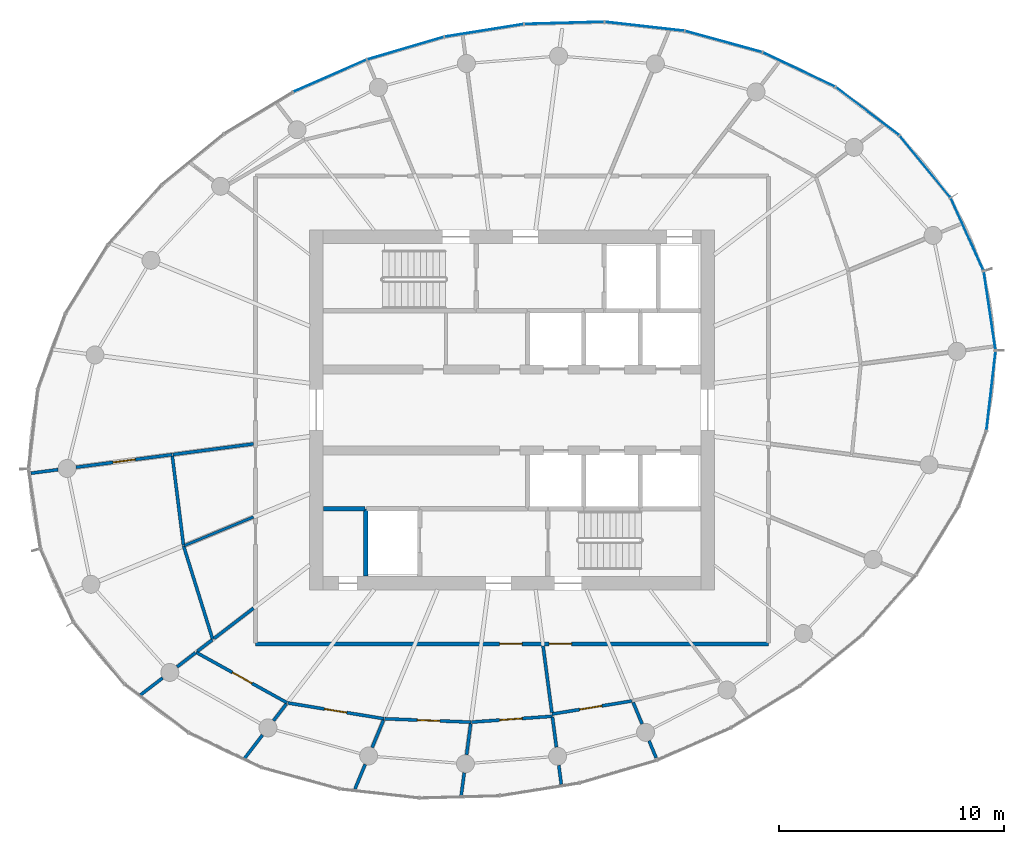
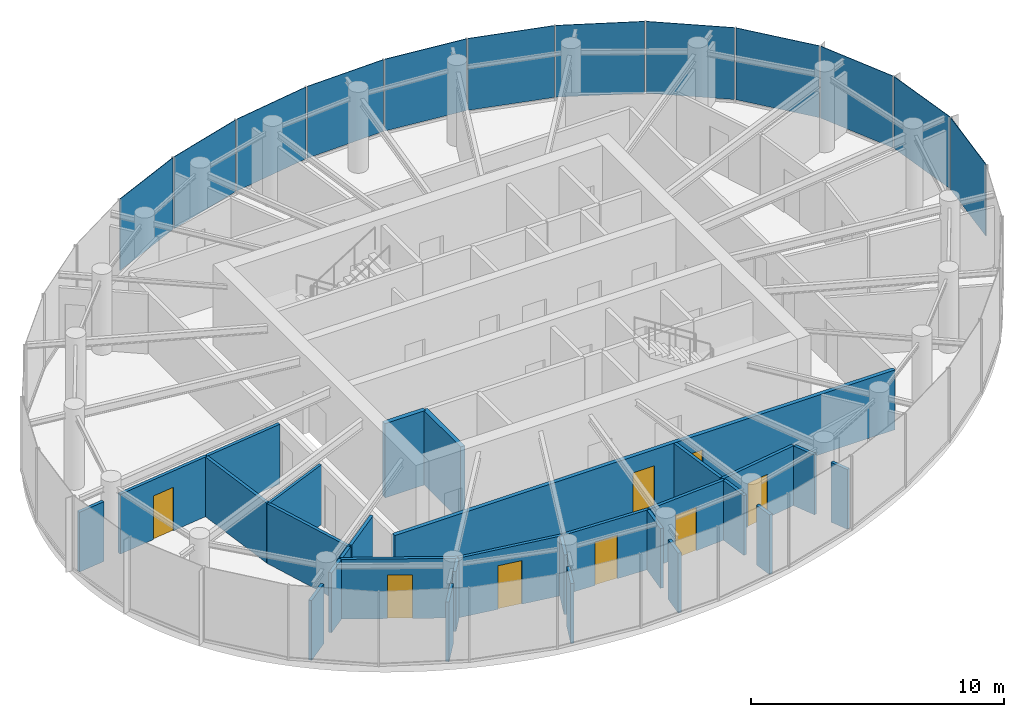
# One storey, part 8 of 13: 29 walls, 12 plates, 8 doors, 8 openings, 3 elements without a shape of their own.
"""IFC4 building model written with IfcOpenShell, lengths in metres."""

from ifc_helpers import new_model, si_unit, direction, frame, frame_2d, origin, origin_2d, place, context, subcontext, project, spatial, rectangle, extrude, source, transform, mapped, material, layer, layer_set, type_object, element, fill, aggregate, save


model = new_model("IFC4")

# Units and contexts
model_context = context("Model", 3, precision=1e-05, world=origin(), true_north=direction((0.0, 1.0)))
body_context = subcontext(model_context, "Body", "Model", "MODEL_VIEW")
ifc_project = project(units=[si_unit("LENGTHUNIT", "METRE"), si_unit("AREAUNIT", "SQUARE_METRE"), si_unit("VOLUMEUNIT", "CUBIC_METRE"), si_unit("PLANEANGLEUNIT", "RADIAN"), si_unit("MASSUNIT", "GRAM", prefix="KILO")], contexts=[model_context])

# Site, building, storey
site_placement = place(None, origin())
site = spatial("IfcSite", under=ifc_project, at=site_placement, CompositionType="ELEMENT")
building_placement = place(site_placement, origin())
building = spatial("IfcBuilding", under=site, at=building_placement, Name="Spindrift Exchange Tower", CompositionType="ELEMENT")
storey_placement = place(building_placement, frame((0.0, 0.0, 254.0)))
storey = spatial("IfcBuildingStorey", under=building, at=storey_placement, Name="L62", CompositionType="ELEMENT", Elevation=254.0)

# Curtain wall, plates
ifc_material_1 = material(Name="Fritted laminated glass with bronze frame", Category="glass")
ifc_layer_1 = layer(ifc_material_1, 0.159912109375)
ifc_layer_set_1 = layer_set([ifc_layer_1], Name="ZONE 5 BRONZE FRITTED WALL")
curtain_wall_type = type_object("IfcCurtainWallType", Name="ZONE 5 BRONZE FRITTED WALL", PredefinedType="NOTDEFINED", material=ifc_layer_set_1)
curtain_wall_1_placement = place(storey_placement, origin())
curtain_wall_1 = element("IfcCurtainWall", 1, at=curtain_wall_1_placement, inside=storey, type_object=curtain_wall_type, Name="L62 Zone 5 Bronze Fritted Wall run 2", PredefinedType="NOTDEFINED")
ifc_material_2 = material(Name="Bronze fritted laminated glass, open frit", Category="glass")
ifc_layer_2 = layer(ifc_material_2, 0.028076171875)
ifc_layer_set_2 = layer_set([ifc_layer_2], Name="ZONE 5 BRONZE FRITTED WALL PANEL OPEN FRIT 360")
plate_type_1 = type_object("IfcPlateType", Name="ZONE 5 BRONZE FRITTED WALL PANEL OPEN FRIT 360", PredefinedType="CURTAIN_PANEL", material=ifc_layer_set_2)
shared_shape_1 = source(origin(), body_context, "Body", "SweptSolid", [
    extrude(rectangle(XDim=3.5263671875, YDim=0.028076171875, at=origin_2d()), origin(), (0.0, 0.0, 1.0), 3.4599609375),
])
plate_1_placement = place(storey_placement, frame((47.27001953125, 64.076904296875, 0.1201171875), z_axis=(0.0, 0.0, 1.0), x_axis=(-0.959343536008, -0.28224099617, 0.0)))
plate_1 = element("IfcPlate", 2, at=plate_1_placement, type_object=plate_type_1, Name="L62 panel CW-5.9", PredefinedType="CURTAIN_PANEL", context=body_context, shape_type="MappedRepresentation", body=[
    mapped(shared_shape_1, transform((0.0, 0.0, 0.0), scale=1.0)),
])
ifc_layer_3 = layer(ifc_material_2, 0.028076171875)
ifc_layer_set_3 = layer_set([ifc_layer_3], Name="ZONE 5 BRONZE FRITTED WALL PANEL OPEN FRIT 600")
plate_type_2 = type_object("IfcPlateType", Name="ZONE 5 BRONZE FRITTED WALL PANEL OPEN FRIT 600", PredefinedType="CURTAIN_PANEL", material=ifc_layer_set_3)
shared_shape_2 = source(origin(), body_context, "Body", "SweptSolid", [
    extrude(rectangle(XDim=3.5263671875, YDim=0.028076171875, at=origin_2d()), origin(), (0.0, 0.0, 1.0), 3.4599609375),
])
plate_2_placement = place(storey_placement, frame((43.90771484375, 62.8505859375, 0.1201171875), z_axis=(0.0, 0.0, 1.0), x_axis=(-0.915796534921, -0.40164251098, 0.0)))
plate_2 = element("IfcPlate", 3, at=plate_2_placement, type_object=plate_type_2, Name="L62 panel CW-5.10", PredefinedType="CURTAIN_PANEL", context=body_context, shape_type="MappedRepresentation", body=[
    mapped(shared_shape_2, transform((0.0, 0.0, 0.0), scale=1.0)),
])
ifc_layer_4 = layer(ifc_material_2, 0.028076171875)
ifc_layer_set_4 = layer_set([ifc_layer_4], Name="ZONE 5 BRONZE FRITTED WALL PANEL OPEN FRIT 480")
plate_type_3 = type_object("IfcPlateType", Name="ZONE 5 BRONZE FRITTED WALL PANEL OPEN FRIT 480", PredefinedType="CURTAIN_PANEL", material=ifc_layer_set_4)
shared_shape_3 = source(origin(), body_context, "Body", "SweptSolid", [
    extrude(rectangle(XDim=3.526123046875, YDim=0.028076171875, at=origin_2d()), origin(), (0.0, 0.0, 1.0), 3.4599609375),
])
plate_3_placement = place(storey_placement, frame((50.7607421875, 64.866943359375, 0.1201171875), z_axis=(0.0, 0.0, 1.0), x_axis=(-0.987390885245, -0.158301104657, 0.0)))
plate_3 = element("IfcPlate", 4, at=plate_3_placement, type_object=plate_type_3, Name="L62 panel CW-5.8", PredefinedType="CURTAIN_PANEL", context=body_context, shape_type="MappedRepresentation", body=[
    mapped(shared_shape_3, transform((0.0, 0.0, 0.0), scale=1.0)),
])

curtain_wall_2_placement = place(storey_placement, origin())
curtain_wall_2 = element("IfcCurtainWall", 5, at=curtain_wall_2_placement, inside=storey, type_object=curtain_wall_type, Name="L62 Zone 5 Bronze Fritted Wall run 1", PredefinedType="NOTDEFINED")
shared_shape_4 = source(origin(), body_context, "Body", "SweptSolid", [
    extrude(rectangle(XDim=3.5234375, YDim=0.028076171875, at=origin_2d()), origin(), (0.0, 0.0, 1.0), 3.4599609375),
])
plate_4_placement = place(storey_placement, frame((64.753662109375, 63.126953125, 0.1201171875), z_axis=(0.0, 0.0, 1.0), x_axis=(-0.903088094144, 0.429455346008, 0.0)))
plate_4 = element("IfcPlate", 6, at=plate_4_placement, type_object=plate_type_3, Name="L62 panel CW-5.4", PredefinedType="CURTAIN_PANEL", context=body_context, shape_type="MappedRepresentation", body=[
    mapped(shared_shape_4, transform((0.0, 0.0, 0.0), scale=1.0)),
])
shared_shape_5 = source(origin(), body_context, "Body", "SweptSolid", [
    extrude(rectangle(XDim=3.521484375, YDim=0.028076171875, at=origin_2d()), origin(), (0.0, 0.0, 1.0), 3.4599609375),
])
plate_5_placement = place(storey_placement, frame((67.7998046875, 61.277099609375, 0.1201171875), z_axis=(0.0, 0.0, 1.0), x_axis=(-0.797540762125, 0.60326506011, 0.0)))
plate_5 = element("IfcPlate", 7, at=plate_5_placement, type_object=plate_type_1, Name="L62 panel CW-5.3", PredefinedType="CURTAIN_PANEL", context=body_context, shape_type="MappedRepresentation", body=[
    mapped(shared_shape_5, transform((0.0, 0.0, 0.0), scale=1.0)),
])
shared_shape_6 = source(origin(), body_context, "Body", "SweptSolid", [
    extrude(rectangle(XDim=3.519287109375, YDim=0.028076171875, at=origin_2d()), origin(), (0.0, 0.0, 1.0), 3.4599609375),
])
plate_6_placement = place(storey_placement, frame((70.36376953125, 58.81396484375, 0.1201171875), z_axis=(0.0, 0.0, 1.0), x_axis=(-0.634646891667, 0.772802253424, 0.0)))
plate_6 = element("IfcPlate", 8, at=plate_6_placement, type_object=plate_type_2, Name="L62 panel CW-5.2", PredefinedType="CURTAIN_PANEL", context=body_context, shape_type="MappedRepresentation", body=[
    mapped(shared_shape_6, transform((0.0, 0.0, 0.0), scale=1.0)),
])

curtain_wall_3_placement = place(storey_placement, origin())
curtain_wall_3 = element("IfcCurtainWall", 9, at=curtain_wall_3_placement, inside=storey, type_object=curtain_wall_type, Name="L62 Zone 5 Bronze Fritted Wall run 6", PredefinedType="NOTDEFINED")
shared_shape_7 = source(origin(), body_context, "Body", "SweptSolid", [
    extrude(rectangle(XDim=3.517578125, YDim=0.028076171875, at=origin_2d()), origin(), (0.0, 0.0, 1.0), 3.4599609375),
])
plate_7_placement = place(storey_placement, frame((73.2353515625, 52.400634765625, 0.1201171875), z_axis=(0.0, 0.0, 1.0), x_axis=(-0.147921610469, 0.988999088552, 0.0)))
plate_7 = element("IfcPlate", 10, at=plate_7_placement, type_object=plate_type_3, Name="L62 panel CW-5.34", PredefinedType="CURTAIN_PANEL", context=body_context, shape_type="MappedRepresentation", body=[
    mapped(shared_shape_7, transform((0.0, 0.0, 0.0), scale=1.0)),
])
shared_shape_8 = source(origin(), body_context, "Body", "SweptSolid", [
    extrude(rectangle(XDim=3.519287109375, YDim=0.028076171875, at=origin_2d()), origin(), (0.0, 0.0, 1.0), 3.4599609375),
])
plate_8_placement = place(storey_placement, frame((73.294189453125, 48.853759765625, 0.1201171875), z_axis=(0.0, 0.0, 1.0), x_axis=(0.114992630715, 0.99336634475, 0.0)))
plate_8 = element("IfcPlate", 11, at=plate_8_placement, type_object=plate_type_1, Name="L62 panel CW-5.33", PredefinedType="CURTAIN_PANEL", context=body_context, shape_type="MappedRepresentation", body=[
    mapped(shared_shape_8, transform((0.0, 0.0, 0.0), scale=1.0)),
])
aggregate(curtain_wall_3, [plate_8, plate_7])

# Plate
shared_shape_9 = source(origin(), body_context, "Body", "SweptSolid", [
    extrude(rectangle(XDim=3.525390625, YDim=0.028076171875, at=origin_2d()), origin(), (0.0, 0.0, 1.0), 3.4599609375),
])
plate_9_placement = place(storey_placement, frame((57.8974609375, 65.04736328125, 0.1201171875), z_axis=(0.0, 0.0, 1.0), x_axis=(-0.993628829001, 0.112702041592, 0.0)))
plate_9 = element("IfcPlate", 12, at=plate_9_placement, type_object=plate_type_3, Name="L62 panel CW-5.6", PredefinedType="CURTAIN_PANEL", context=body_context, shape_type="MappedRepresentation", body=[
    mapped(shared_shape_9, transform((0.0, 0.0, 0.0), scale=1.0)),
])

shared_shape_10 = source(origin(), body_context, "Body", "SweptSolid", [
    extrude(rectangle(XDim=3.526123046875, YDim=0.028076171875, at=origin_2d()), origin(), (0.0, 0.0, 1.0), 3.4599609375),
])
plate_10_placement = place(storey_placement, frame((54.32373046875, 65.2001953125, 0.1201171875), z_axis=(0.0, 0.0, 1.0), x_axis=(-0.999621146894, -0.027523856603, 0.0)))
plate_10 = element("IfcPlate", 13, at=plate_10_placement, type_object=plate_type_1, Name="L62 panel CW-5.7", PredefinedType="CURTAIN_PANEL", context=body_context, shape_type="MappedRepresentation", body=[
    mapped(shared_shape_10, transform((0.0, 0.0, 0.0), scale=1.0)),
])

aggregate(curtain_wall_1, [plate_10, plate_3, plate_1, plate_2])

shared_shape_11 = source(origin(), body_context, "Body", "SweptSolid", [
    extrude(rectangle(XDim=3.517578125, YDim=0.028076171875, at=origin_2d()), origin(), (0.0, 0.0, 1.0), 3.4599609375),
])
plate_11_placement = place(storey_placement, frame((72.235107421875, 55.80029296875, 0.1201171875), z_axis=(0.0, 0.0, 1.0), x_axis=(-0.411213694149, 0.911538972148, 0.0)))
plate_11 = element("IfcPlate", 14, at=plate_11_placement, type_object=plate_type_1, Name="L62 panel CW-5.1", PredefinedType="CURTAIN_PANEL", context=body_context, shape_type="MappedRepresentation", body=[
    mapped(shared_shape_11, transform((0.0, 0.0, 0.0), scale=1.0)),
])

shared_shape_12 = source(origin(), body_context, "Body", "SweptSolid", [
    extrude(rectangle(XDim=3.524658203125, YDim=0.028076171875, at=origin_2d()), origin(), (0.0, 0.0, 1.0), 3.4599609375),
])
plate_12_placement = place(storey_placement, frame((61.406982421875, 64.370849609375, 0.1201171875), z_axis=(0.0, 0.0, 1.0), x_axis=(-0.9643207721, 0.264736564334, 0.0)))
plate_12 = element("IfcPlate", 15, at=plate_12_placement, type_object=plate_type_3, Name="L62 panel CW-5.5", PredefinedType="CURTAIN_PANEL", context=body_context, shape_type="MappedRepresentation", body=[
    mapped(shared_shape_12, transform((0.0, 0.0, 0.0), scale=1.0)),
])

aggregate(curtain_wall_2, [plate_11, plate_6, plate_5, plate_4, plate_12, plate_9])

# Wall, openings, doors
ifc_material_3 = material(Name="Fire-rated plasterboard partition", Category="gypsum")
ifc_layer_5 = layer(ifc_material_3, 0.179931640625)
ifc_layer_set_5 = layer_set([ifc_layer_5], Name="W-CORR-180")
wall_type_1 = type_object("IfcWallType", Name="W-CORR-180", PredefinedType="PARTITIONING", material=ifc_layer_set_5)
wall_1_placement = place(storey_placement, frame((63.39990234375, 37.60009765625, 0.0), z_axis=(0.0, 0.0, 1.0), x_axis=(-1.0, 0.0, 0.0)))
wall_1 = element("IfcWall", 16, at=wall_1_placement, inside=storey, type_object=wall_type_1, Name="L62 Partition wall 28", PredefinedType="PARTITIONING", context=body_context, shape_type="SweptSolid", body=[
    extrude(rectangle(XDim=22.7998046875, YDim=0.179931640625, at=frame_2d((11.39990234375, 0.0))), origin(), (0.0, 0.0, 1.0), 2.8798828125),
])
opening_1_placement = place(wall_1_placement, frame((10.949951171875, 0.0, 0.0)))
opening_1 = element("IfcOpeningElement", 17, at=opening_1_placement, cuts=wall_1, Name="Opening L62-D21", PredefinedType="OPENING", context=body_context, shape_type="SweptSolid", body=[
    extrude(rectangle(XDim=1.0, YDim=2.10009765625, at=frame_2d((0.5, 1.050048828125))), frame((0.0, 0.099853515625, 0.0), z_axis=(0.0, -1.0, 0.0), x_axis=(1.0, 0.0, 0.0)), (0.0, 0.0, 1.0), 0.199951171875),
])
opening_2_placement = place(wall_1_placement, frame((8.75, 0.0, 0.0)))
opening_2 = element("IfcOpeningElement", 18, at=opening_2_placement, cuts=wall_1, Name="Opening L62-D27", PredefinedType="OPENING", context=body_context, shape_type="SweptSolid", body=[
    extrude(rectangle(XDim=1.0, YDim=2.10009765625, at=frame_2d((0.5, 1.050048828125))), frame((0.0, 0.099853515625, 0.0), z_axis=(0.0, -1.0, 0.0), x_axis=(1.0, 0.0, 0.0)), (0.0, 0.0, 1.0), 0.199951171875),
])
ifc_material_4 = material(Name="Timber-core fire door", Category="wood")
door_type = type_object("IfcDoorType", Name="DR-ROOM-1000", OperationType="NOTDEFINED", PredefinedType="DOOR", material=ifc_material_4)
shared_shape_13 = source(origin(), body_context, "Body", "SweptSolid", [
    extrude(rectangle(XDim=1.0, YDim=2.10009765625, at=frame_2d((0.5, 1.050048828125))), frame((0.0, 0.02490234375, 0.0), z_axis=(0.0, -1.0, 0.0), x_axis=(1.0, 0.0, 0.0)), (0.0, 0.0, 1.0), 0.050048828125),
])
door_1_placement = place(opening_1_placement, origin())
door_1 = element("IfcDoor", 19, at=door_1_placement, inside=storey, type_object=door_type, Name="L62 Door 21", OperationType="SINGLE_SWING_LEFT", OverallHeight=2.10009765625, OverallWidth=1.0, PredefinedType="DOOR", context=body_context, shape_type="MappedRepresentation", body=[
    mapped(shared_shape_13, transform((0.0, 0.0, 0.0), scale=1.0)),
])
fill(opening_1, door_1)
door_2_placement = place(opening_2_placement, origin())
door_2 = element("IfcDoor", 20, at=door_2_placement, inside=storey, type_object=door_type, Name="L62 Door 27", OperationType="SINGLE_SWING_LEFT", OverallHeight=2.10009765625, OverallWidth=1.0, PredefinedType="DOOR", context=body_context, shape_type="MappedRepresentation", body=[
    mapped(shared_shape_13, transform((0.0, 0.0, 0.0), scale=1.0)),
])
fill(opening_2, door_2)

# Wall, opening, door
ifc_layer_6 = layer(ifc_material_3, 0.139892578125)
ifc_layer_set_6 = layer_set([ifc_layer_6], Name="W-PART-140")
wall_type_2 = type_object("IfcWallType", Name="W-PART-140", PredefinedType="PARTITIONING", material=ifc_layer_set_6)
wall_2_placement = place(storey_placement, frame((42.007080078125, 34.97705078125, 0.0), z_axis=(0.0, 0.0, 1.0), x_axis=(-0.874440561865, 0.485132666149, 0.0)))
wall_2 = element("IfcWall", 21, at=wall_2_placement, inside=storey, type_object=wall_type_2, Name="L62 Partition wall 33", PredefinedType="PARTITIONING", context=body_context, shape_type="SweptSolid", body=[
    extrude(rectangle(XDim=4.6318359375, YDim=0.139892578125, at=frame_2d((2.31591796875, 0.0))), origin(), (0.0, 0.0, 1.0), 2.8798828125),
])
opening_3_placement = place(wall_2_placement, frame((1.781982421875, 0.0, 0.0)))
opening_3 = element("IfcOpeningElement", 22, at=opening_3_placement, cuts=wall_2, Name="Opening L62-D22", PredefinedType="OPENING", context=body_context, shape_type="SweptSolid", body=[
    extrude(rectangle(XDim=1.0, YDim=2.10009765625, at=frame_2d((0.5, 1.050048828125))), frame((0.0, 0.079833984375, 0.0), z_axis=(0.0, -1.0, 0.0), x_axis=(1.0, 0.0, 0.0)), (0.0, 0.0, 1.0), 0.159912109375),
])
door_3_placement = place(opening_3_placement, origin())
door_3 = element("IfcDoor", 23, at=door_3_placement, inside=storey, type_object=door_type, Name="L62 Door 22", OperationType="SINGLE_SWING_RIGHT", OverallHeight=2.10009765625, OverallWidth=1.0, PredefinedType="DOOR", context=body_context, shape_type="MappedRepresentation", body=[
    mapped(shared_shape_13, transform((0.0, 0.0, 0.0), scale=1.0)),
])
fill(opening_3, door_3)

wall_3_placement = place(storey_placement, frame((46.31298828125, 34.270751953125, 0.0), z_axis=(0.0, 0.0, 1.0), x_axis=(-0.986813949389, 0.161858670735, 0.0)))
wall_3 = element("IfcWall", 24, at=wall_3_placement, inside=storey, type_object=wall_type_2, Name="L62 Partition wall 37", PredefinedType="PARTITIONING", context=body_context, shape_type="SweptSolid", body=[
    extrude(rectangle(XDim=4.33349609375, YDim=0.139892578125, at=frame_2d((2.166748046875, 0.0))), origin(), (0.0, 0.0, 1.0), 2.8798828125),
])
opening_4_placement = place(wall_3_placement, frame((1.68359375, 0.0, 0.0)))
opening_4 = element("IfcOpeningElement", 25, at=opening_4_placement, cuts=wall_3, Name="Opening L62-D23", PredefinedType="OPENING", context=body_context, shape_type="SweptSolid", body=[
    extrude(rectangle(XDim=1.0, YDim=2.10009765625, at=frame_2d((0.5, 1.050048828125))), frame((0.0, 0.079833984375, 0.0), z_axis=(0.0, -1.0, 0.0), x_axis=(1.0, 0.0, 0.0)), (0.0, 0.0, 1.0), 0.159912109375),
])
door_4_placement = place(opening_4_placement, origin())
door_4 = element("IfcDoor", 26, at=door_4_placement, inside=storey, type_object=door_type, Name="L62 Door 23", OperationType="SINGLE_SWING_LEFT", OverallHeight=2.10009765625, OverallWidth=1.0, PredefinedType="DOOR", context=body_context, shape_type="MappedRepresentation", body=[
    mapped(shared_shape_13, transform((0.0, 0.0, 0.0), scale=1.0)),
])
fill(opening_4, door_4)

# Wall
wall_4_placement = place(storey_placement, frame((37.401611328125, 41.953125, 0.0), z_axis=(0.0, 0.0, 1.0), x_axis=(0.297324216062, -0.954776576244, 0.0)))
element("IfcWall", 27, at=wall_4_placement, inside=storey, type_object=wall_type_2, Name="L62 Partition wall 38", PredefinedType="PARTITIONING", context=body_context, shape_type="SweptSolid", body=[
    extrude(rectangle(XDim=4.357666015625, YDim=0.139892578125, at=frame_2d((2.1787109375, 0.0))), origin(), (0.0, 0.0, 1.0), 2.8798828125),
])

# Wall, opening, door
wall_5_placement = place(storey_placement, frame((36.892333984375, 46.010986328125, 0.0), z_axis=(0.0, 0.0, 1.0), x_axis=(-0.991450821021, -0.130480916219, 0.0)))
wall_5 = element("IfcWall", 28, at=wall_5_placement, inside=storey, type_object=wall_type_2, Name="L62 Partition wall 39", PredefinedType="PARTITIONING", context=body_context, shape_type="SweptSolid", body=[
    extrude(rectangle(XDim=4.305419921875, YDim=0.139892578125, at=frame_2d((2.15283203125, 0.0))), origin(), (0.0, 0.0, 1.0), 2.8798828125),
])
opening_5_placement = place(wall_5_placement, frame((1.64990234375, 0.0, 0.0)))
opening_5 = element("IfcOpeningElement", 29, at=opening_5_placement, cuts=wall_5, Name="Opening L62-D26", PredefinedType="OPENING", context=body_context, shape_type="SweptSolid", body=[
    extrude(rectangle(XDim=1.0, YDim=2.10009765625, at=frame_2d((0.5, 1.050048828125))), frame((0.0, 0.079833984375, 0.0), z_axis=(0.0, -1.0, 0.0), x_axis=(1.0, 0.0, 0.0)), (0.0, 0.0, 1.0), 0.159912109375),
])
door_5_placement = place(opening_5_placement, origin())
door_5 = element("IfcDoor", 30, at=door_5_placement, inside=storey, type_object=door_type, Name="L62 Door 26", OperationType="SINGLE_SWING_RIGHT", OverallHeight=2.10009765625, OverallWidth=1.0, PredefinedType="DOOR", context=body_context, shape_type="MappedRepresentation", body=[
    mapped(shared_shape_13, transform((0.0, 0.0, 0.0), scale=1.0)),
])
fill(opening_5, door_5)

# Wall
wall_6_placement = place(storey_placement, frame((36.901123046875, 45.941650390625, 0.0), z_axis=(0.0, 0.0, 1.0), x_axis=(0.124464006599, -0.992224123402, 0.0)))
element("IfcWall", 31, at=wall_6_placement, inside=storey, type_object=wall_type_2, Name="L62 Partition wall 41", PredefinedType="PARTITIONING", context=body_context, shape_type="SweptSolid", body=[
    extrude(rectangle(XDim=3.98974609375, YDim=0.139892578125, at=frame_2d((1.994873046875, 0.0))), origin(), (0.0, 0.0, 1.0), 2.8798828125),
])

# Wall, opening, door
wall_7_placement = place(storey_placement, frame((50.172607421875, 34.119384765625, 0.0), z_axis=(0.0, 0.0, 1.0), x_axis=(-0.999232293047, 0.039176836684, 0.0)))
wall_7 = element("IfcWall", 32, at=wall_7_placement, inside=storey, type_object=wall_type_2, Name="L62 Partition wall 47", PredefinedType="PARTITIONING", context=body_context, shape_type="SweptSolid", body=[
    extrude(rectangle(XDim=3.83251953125, YDim=0.139892578125, at=frame_2d((1.916259765625, 0.0))), origin(), (0.0, 0.0, 1.0), 2.8798828125),
])
opening_6_placement = place(wall_7_placement, frame((1.38232421875, 0.0, 0.0)))
opening_6 = element("IfcOpeningElement", 33, at=opening_6_placement, cuts=wall_7, Name="Opening L62-D24", PredefinedType="OPENING", context=body_context, shape_type="SweptSolid", body=[
    extrude(rectangle(XDim=1.0, YDim=2.10009765625, at=frame_2d((0.5, 1.050048828125))), frame((0.0, 0.079833984375, 0.0), z_axis=(0.0, -1.0, 0.0), x_axis=(1.0, 0.0, 0.0)), (0.0, 0.0, 1.0), 0.159912109375),
])
door_6_placement = place(opening_6_placement, origin())
door_6 = element("IfcDoor", 34, at=door_6_placement, inside=storey, type_object=door_type, Name="L62 Door 24", OperationType="SINGLE_SWING_RIGHT", OverallHeight=2.10009765625, OverallWidth=1.0, PredefinedType="DOOR", context=body_context, shape_type="MappedRepresentation", body=[
    mapped(shared_shape_13, transform((0.0, 0.0, 0.0), scale=1.0)),
])
fill(opening_6, door_6)

# Wall
wall_8_placement = place(storey_placement, frame((40.510009765625, 46.4873046875, 0.0), z_axis=(0.0, 0.0, 1.0), x_axis=(-0.991442810517, -0.130541769077, 0.0)))
element("IfcWall", 35, at=wall_8_placement, inside=storey, type_object=wall_type_2, Name="L62 Partition wall 49", PredefinedType="PARTITIONING", context=body_context, shape_type="SweptSolid", body=[
    extrude(rectangle(XDim=3.618896484375, YDim=0.139892578125, at=frame_2d((1.8095703125, 0.0))), origin(), (0.0, 0.0, 1.0), 2.8798828125),
])

# Wall, opening, door
wall_9_placement = place(storey_placement, frame((53.793212890625, 34.3798828125, 0.0), z_axis=(0.0, 0.0, 1.0), x_axis=(-0.997422773101, -0.07174825224, 0.0)))
wall_9 = element("IfcWall", 36, at=wall_9_placement, inside=storey, type_object=wall_type_2, Name="L62 Partition wall 51", PredefinedType="PARTITIONING", context=body_context, shape_type="SweptSolid", body=[
    extrude(rectangle(XDim=3.60009765625, YDim=0.139892578125, at=frame_2d((1.800048828125, 0.0))), origin(), (0.0, 0.0, 1.0), 2.8798828125),
])
opening_7_placement = place(wall_9_placement, frame((1.349853515625, 0.0, 0.0)))
opening_7 = element("IfcOpeningElement", 37, at=opening_7_placement, cuts=wall_9, Name="Opening L62-D25", PredefinedType="OPENING", context=body_context, shape_type="SweptSolid", body=[
    extrude(rectangle(XDim=1.0, YDim=2.10009765625, at=frame_2d((0.5, 1.050048828125))), frame((0.0, 0.079833984375, 0.0), z_axis=(0.0, -1.0, 0.0), x_axis=(1.0, 0.0, 0.0)), (0.0, 0.0, 1.0), 0.159912109375),
])
door_7_placement = place(opening_7_placement, origin())
door_7 = element("IfcDoor", 38, at=door_7_placement, inside=storey, type_object=door_type, Name="L62 Door 25", OperationType="SINGLE_SWING_LEFT", OverallHeight=2.10009765625, OverallWidth=1.0, PredefinedType="DOOR", context=body_context, shape_type="MappedRepresentation", body=[
    mapped(shared_shape_13, transform((0.0, 0.0, 0.0), scale=1.0)),
])
fill(opening_7, door_7)

wall_10_placement = place(storey_placement, frame((57.328125, 35.060791015625, 0.0), z_axis=(0.0, 0.0, 1.0), x_axis=(-0.98678747137, -0.162020018352, 0.0)))
wall_10 = element("IfcWall", 39, at=wall_10_placement, inside=storey, type_object=wall_type_2, Name="L62 Partition wall 52", PredefinedType="PARTITIONING", context=body_context, shape_type="SweptSolid", body=[
    extrude(rectangle(XDim=3.595458984375, YDim=0.139892578125, at=frame_2d((1.7978515625, 0.0))), origin(), (0.0, 0.0, 1.0), 2.8798828125),
])
opening_8_placement = place(wall_10_placement, frame((1.345458984375, 0.0, 0.0)))
opening_8 = element("IfcOpeningElement", 40, at=opening_8_placement, cuts=wall_10, Name="Opening L62-D28", PredefinedType="OPENING", context=body_context, shape_type="SweptSolid", body=[
    extrude(rectangle(XDim=1.0, YDim=2.10009765625, at=frame_2d((0.5, 1.050048828125))), frame((0.0, 0.079833984375, 0.0), z_axis=(0.0, -1.0, 0.0), x_axis=(1.0, 0.0, 0.0)), (0.0, 0.0, 1.0), 0.159912109375),
])
door_8_placement = place(opening_8_placement, origin())
door_8 = element("IfcDoor", 41, at=door_8_placement, inside=storey, type_object=door_type, Name="L62 Door 28", OperationType="SINGLE_SWING_RIGHT", OverallHeight=2.10009765625, OverallWidth=1.0, PredefinedType="DOOR", context=body_context, shape_type="MappedRepresentation", body=[
    mapped(shared_shape_13, transform((0.0, 0.0, 0.0), scale=1.0)),
])
fill(opening_8, door_8)

# Walls
wall_11_placement = place(storey_placement, frame((53.381103515625, 37.510009765625, 0.0), z_axis=(0.0, 0.0, 1.0), x_axis=(0.130488330544, -0.991449845223, 0.0)))
element("IfcWall", 42, at=wall_11_placement, inside=storey, type_object=wall_type_2, Name="L62 Partition wall 53", PredefinedType="PARTITIONING", context=body_context, shape_type="SweptSolid", body=[
    extrude(rectangle(XDim=2.988037109375, YDim=0.139892578125, at=frame_2d((1.494140625, 0.0))), origin(), (0.0, 0.0, 1.0), 2.8798828125),
])
wall_12_placement = place(storey_placement, frame((40.510009765625, 39.183349609375, 0.0), z_axis=(0.0, 0.0, 1.0), x_axis=(-0.793391200756, -0.608712085113, 0.0)))
element("IfcWall", 43, at=wall_12_placement, inside=storey, type_object=wall_type_2, Name="L62 Partition wall 57", PredefinedType="PARTITIONING", context=body_context, shape_type="SweptSolid", body=[
    extrude(rectangle(XDim=2.21044921875, YDim=0.139892578125, at=frame_2d((1.105224609375, 0.0))), origin(), (0.0, 0.0, 1.0), 2.8798828125),
])
wall_13_placement = place(storey_placement, frame((50.163330078125, 34.0498046875, 0.0), z_axis=(0.0, 0.0, 1.0), x_axis=(-0.130508963951, -0.991447129366, 0.0)))
element("IfcWall", 44, at=wall_13_placement, inside=storey, type_object=wall_type_2, Name="L62 Partition wall 65", PredefinedType="PARTITIONING", context=body_context, shape_type="SweptSolid", body=[
    extrude(rectangle(XDim=1.391845703125, YDim=0.139892578125, at=frame_2d((0.69580078125, 0.0))), origin(), (0.0, 0.0, 1.0), 2.8798828125),
])
wall_14_placement = place(storey_placement, frame((53.797119140625, 34.350341796875, 0.0), z_axis=(0.0, 0.0, 1.0), x_axis=(0.130431243658, -0.991457356964, 0.0)))
element("IfcWall", 45, at=wall_14_placement, inside=storey, type_object=wall_type_2, Name="L62 Partition wall 66", PredefinedType="PARTITIONING", context=body_context, shape_type="SweptSolid", body=[
    extrude(rectangle(XDim=1.35693359375, YDim=0.139892578125, at=frame_2d((0.678466796875, 0.0))), origin(), (0.0, 0.0, 1.0), 2.8798828125),
])
wall_15_placement = place(storey_placement, frame((46.28564453125, 34.204345703125, 0.0), z_axis=(0.0, 0.0, 1.0), x_axis=(-0.382778880787, -0.923839990704, 0.0)))
element("IfcWall", 46, at=wall_15_placement, inside=storey, type_object=wall_type_2, Name="L62 Partition wall 67", PredefinedType="PARTITIONING", context=body_context, shape_type="SweptSolid", body=[
    extrude(rectangle(XDim=1.3125, YDim=0.139892578125, at=frame_2d((0.65625, 0.0))), origin(), (0.0, 0.0, 1.0), 2.8798828125),
])
wall_16_placement = place(storey_placement, frame((40.90673828125, 33.543212890625, 0.0), z_axis=(0.0, 0.0, 1.0), x_axis=(-0.608700288014, -0.793400251683, 0.0)))
element("IfcWall", 47, at=wall_16_placement, inside=storey, type_object=wall_type_2, Name="L62 Partition wall 70", PredefinedType="PARTITIONING", context=body_context, shape_type="SweptSolid", body=[
    extrude(rectangle(XDim=1.296630859375, YDim=0.139892578125, at=frame_2d((0.6484375, 0.0))), origin(), (0.0, 0.0, 1.0), 2.8798828125),
])
wall_17_placement = place(storey_placement, frame((36.469482421875, 36.0830078125, 0.0), z_axis=(0.0, 0.0, 1.0), x_axis=(-0.793361818833, -0.608750379399, 0.0)))
element("IfcWall", 48, at=wall_17_placement, inside=storey, type_object=wall_type_2, Name="L62 Partition wall 71", PredefinedType="PARTITIONING", context=body_context, shape_type="SweptSolid", body=[
    extrude(rectangle(XDim=1.253662109375, YDim=0.139892578125, at=frame_2d((0.626953125, 0.0))), origin(), (0.0, 0.0, 1.0), 2.8798828125),
])
wall_18_placement = place(storey_placement, frame((31.821533203125, 45.343505859375, 0.0), z_axis=(0.0, 0.0, 1.0), x_axis=(-0.991448836413, -0.13049599525, 0.0)))
element("IfcWall", 49, at=wall_18_placement, inside=storey, type_object=wall_type_2, Name="L62 Partition wall 74", PredefinedType="PARTITIONING", context=body_context, shape_type="SweptSolid", body=[
    extrude(rectangle(XDim=1.218017578125, YDim=0.139892578125, at=frame_2d((0.60888671875, 0.0))), origin(), (0.0, 0.0, 1.0), 2.8798828125),
])
wall_19_placement = place(storey_placement, frame((45.473388671875, 32.2431640625, 0.0), z_axis=(0.0, 0.0, 1.0), x_axis=(-0.382762861593, -0.923846627847, 0.0)))
element("IfcWall", 50, at=wall_19_placement, inside=storey, type_object=wall_type_2, Name="L62 Partition wall 75", PredefinedType="PARTITIONING", context=body_context, shape_type="SweptSolid", body=[
    extrude(rectangle(XDim=1.18896484375, YDim=0.139892578125, at=frame_2d((0.594482421875, 0.0))), origin(), (0.0, 0.0, 1.0), 2.8798828125),
])
wall_20_placement = place(storey_placement, frame((57.384765625, 35.0, 0.0), z_axis=(0.0, 0.0, 1.0), x_axis=(0.38262856197, -0.923902258664, 0.0)))
element("IfcWall", 51, at=wall_20_placement, inside=storey, type_object=wall_type_2, Name="L62 Partition wall 78", PredefinedType="PARTITIONING", context=body_context, shape_type="SweptSolid", body=[
    extrude(rectangle(XDim=1.038818359375, YDim=0.139892578125, at=frame_2d((0.51953125, 0.0))), origin(), (0.0, 0.0, 1.0), 2.8798828125),
])
wall_21_placement = place(storey_placement, frame((37.932861328125, 37.2060546875, 0.0), z_axis=(0.0, 0.0, 1.0), x_axis=(-0.79327224319, -0.608867102235, 0.0)))
element("IfcWall", 52, at=wall_21_placement, inside=storey, type_object=wall_type_2, Name="L62 Partition wall 79", PredefinedType="PARTITIONING", context=body_context, shape_type="SweptSolid", body=[
    extrude(rectangle(XDim=1.035400390625, YDim=0.139892578125, at=frame_2d((0.517578125, 0.0))), origin(), (0.0, 0.0, 1.0), 2.8798828125),
])
wall_22_placement = place(storey_placement, frame((49.876220703125, 31.86767578125, 0.0), z_axis=(0.0, 0.0, 1.0), x_axis=(-0.130744047455, -0.991416155837, 0.0)))
element("IfcWall", 53, at=wall_22_placement, inside=storey, type_object=wall_type_2, Name="L62 Partition wall 82", PredefinedType="PARTITIONING", context=body_context, shape_type="SweptSolid", body=[
    extrude(rectangle(XDim=1.025146484375, YDim=0.139892578125, at=frame_2d((0.5126953125, 0.0))), origin(), (0.0, 0.0, 1.0), 2.8798828125),
])
wall_23_placement = place(storey_placement, frame((41.964111328125, 34.9208984375, 0.0), z_axis=(0.0, 0.0, 1.0), x_axis=(-0.608807228155, -0.79331819527, 0.0)))
element("IfcWall", 54, at=wall_23_placement, inside=storey, type_object=wall_type_2, Name="L62 Partition wall 83", PredefinedType="PARTITIONING", context=body_context, shape_type="SweptSolid", body=[
    extrude(rectangle(XDim=0.927490234375, YDim=0.139892578125, at=frame_2d((0.4638671875, 0.0))), origin(), (0.0, 0.0, 1.0), 2.8798828125),
])
wall_24_placement = place(storey_placement, frame((38.67333984375, 37.774169921875, 0.0), z_axis=(0.0, 0.0, 1.0), x_axis=(-0.793325907002, -0.608797179099, 0.0)))
element("IfcWall", 55, at=wall_24_placement, inside=storey, type_object=wall_type_2, Name="L62 Partition wall 85", PredefinedType="PARTITIONING", context=body_context, shape_type="SweptSolid", body=[
    extrude(rectangle(XDim=0.826904296875, YDim=0.139892578125, at=frame_2d((0.41357421875, 0.0))), origin(), (0.0, 0.0, 1.0), 2.8798828125),
])
wall_25_placement = place(storey_placement, frame((54.07958984375, 32.202880859375, 0.0), z_axis=(0.0, 0.0, 1.0), x_axis=(0.130720882624, -0.991419210448, 0.0)))
element("IfcWall", 56, at=wall_25_placement, inside=storey, type_object=wall_type_2, Name="L62 Partition wall 86", PredefinedType="PARTITIONING", context=body_context, shape_type="SweptSolid", body=[
    extrude(rectangle(XDim=0.853515625, YDim=0.139892578125, at=frame_2d((0.4267578125, 0.0))), origin(), (0.0, 0.0, 1.0), 2.8798828125),
])
wall_26_placement = place(storey_placement, frame((58.09228515625, 33.291748046875, 0.0), z_axis=(0.0, 0.0, 1.0), x_axis=(0.382762017913, -0.923846977396, 0.0)))
element("IfcWall", 57, at=wall_26_placement, inside=storey, type_object=wall_type_2, Name="L62 Partition wall 89", PredefinedType="PARTITIONING", context=body_context, shape_type="SweptSolid", body=[
    extrude(rectangle(XDim=0.823486328125, YDim=0.139892578125, at=frame_2d((0.41162109375, 0.0))), origin(), (0.0, 0.0, 1.0), 2.8798828125),
])
ifc_material_5 = material(Name="Concrete 40 MPa", Category="concrete")
ifc_layer_7 = layer(ifc_material_5, 0.199951171875)
ifc_layer_set_7 = layer_set([ifc_layer_7], Name="W-SHAFT-200")
wall_type_3 = type_object("IfcWallType", Name="W-SHAFT-200", PredefinedType="SOLIDWALL", material=ifc_layer_set_7)
wall_27_placement = place(storey_placement, frame((45.5, 43.60009765625, 0.0), z_axis=(0.0, 0.0, 1.0), x_axis=(0.0, -1.0, 0.0)))
element("IfcWall", 58, at=wall_27_placement, inside=storey, type_object=wall_type_3, Name="L62 Shaft wall 3", PredefinedType="SOLIDWALL", context=body_context, shape_type="SweptSolid", body=[
    extrude(rectangle(XDim=2.97998046875, YDim=0.199951171875, at=frame_2d((1.489990234375, 0.0))), origin(), (0.0, 0.0, 1.0), 3.580078125),
])
wall_28_placement = place(storey_placement, frame((45.469970703125, 43.60009765625, 0.0), z_axis=(0.0, 0.0, 1.0), x_axis=(-1.0, 0.0, 0.0)))
element("IfcWall", 59, at=wall_28_placement, inside=storey, type_object=wall_type_3, Name="L62 Shaft wall 20", PredefinedType="SOLIDWALL", context=body_context, shape_type="SweptSolid", body=[
    extrude(rectangle(XDim=1.849853515625, YDim=0.199951171875, at=frame_2d((0.9248046875, 0.0))), origin(), (0.0, 0.0, 1.0), 3.580078125),
])
ifc_layer_8 = layer(ifc_material_3, 0.1201171875)
ifc_layer_set_8 = layer_set([ifc_layer_8], Name="W-WET-120")
wall_type_4 = type_object("IfcWallType", Name="W-WET-120", PredefinedType="PARTITIONING", material=ifc_layer_set_8)
wall_29_placement = place(storey_placement, frame((40.510009765625, 43.24072265625, 0.0), z_axis=(0.0, 0.0, 1.0), x_axis=(-0.92387852154, -0.382685873056, 0.0)))
element("IfcWall", 60, at=wall_29_placement, inside=storey, type_object=wall_type_4, Name="L62 Partition wall 90", PredefinedType="PARTITIONING", context=body_context, shape_type="SweptSolid", body=[
    extrude(rectangle(XDim=3.334716796875, YDim=0.1201171875, at=frame_2d((1.66748046875, 0.0))), origin(), (0.0, 0.0, 1.0), 2.8798828125),
])

save(model, "model.ifc")
